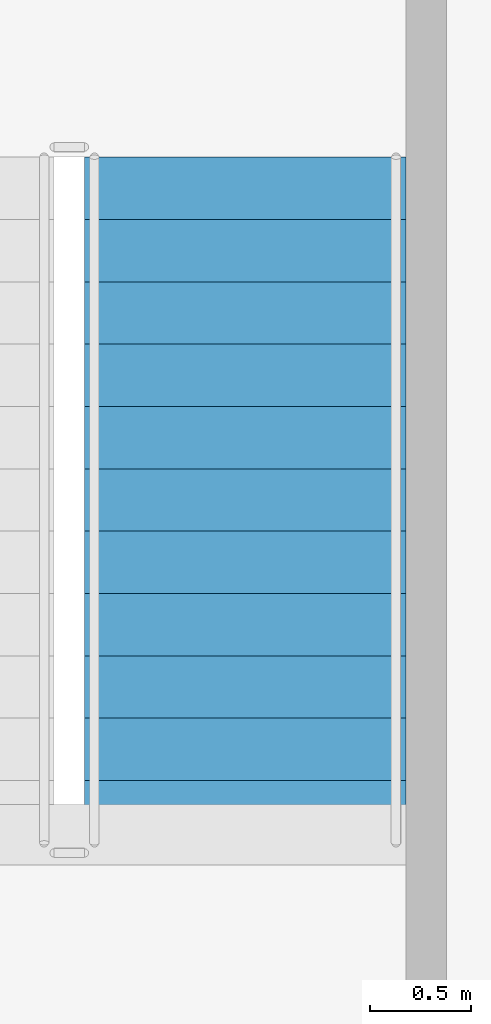
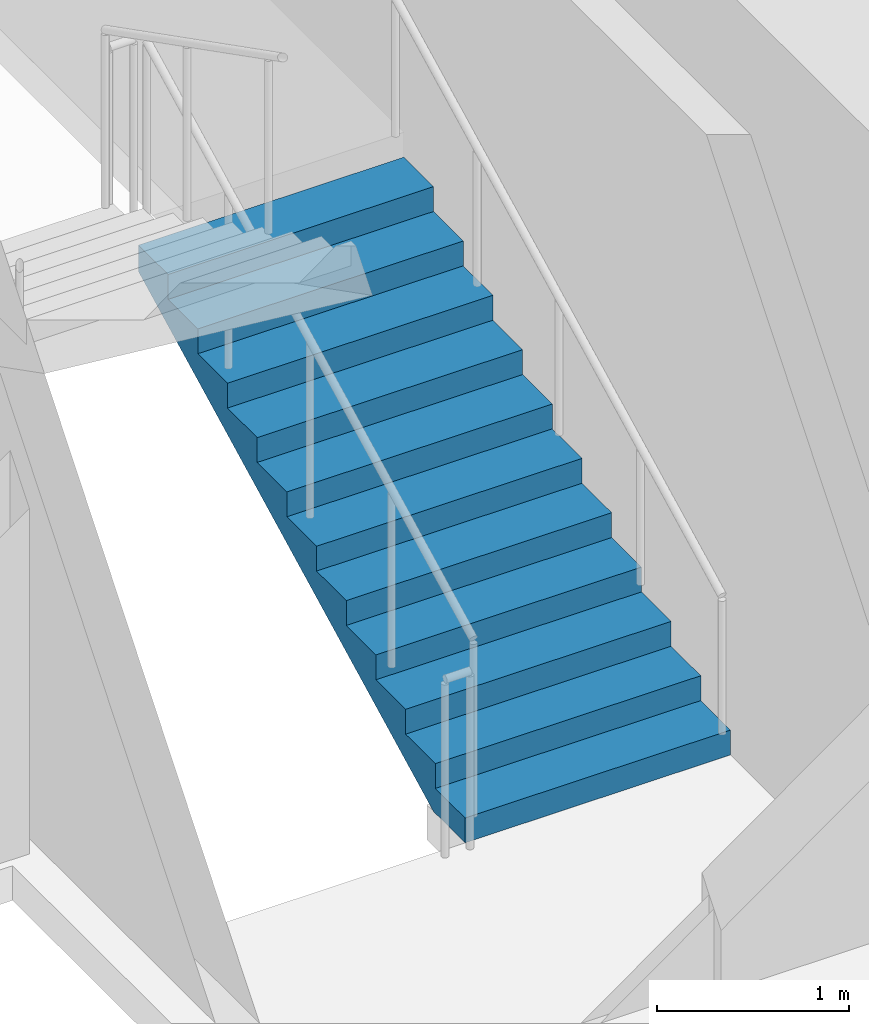
# One storey, part 13 of 17: 1 stair flight, 1 element without a shape of its own.
"""IFC4 building model written with IfcOpenShell, lengths in metres."""

from ifc_helpers import new_model, si_unit, direction, frame, origin, place, context, subcontext, project, spatial, polyline, outline, extrude, material, type_object, element, aggregate, save


model = new_model("IFC4")

# Units and contexts
model_context = context("Model", 3, precision=1e-05, world=origin(), true_north=direction((0.0, 1.0)))
body_context = subcontext(model_context, "Body", "Model", "MODEL_VIEW")
ifc_project = project(units=[si_unit("LENGTHUNIT", "METRE"), si_unit("AREAUNIT", "SQUARE_METRE"), si_unit("VOLUMEUNIT", "CUBIC_METRE"), si_unit("PLANEANGLEUNIT", "RADIAN"), si_unit("MASSUNIT", "GRAM", prefix="KILO")], contexts=[model_context])

# Site, building, storey
site_placement = place(None, origin())
site = spatial("IfcSite", under=ifc_project, at=site_placement, CompositionType="ELEMENT")
building_placement = place(site_placement, origin())
building = spatial("IfcBuilding", under=site, at=building_placement, Name="Vaeldorn Concourse Tower", CompositionType="ELEMENT")
storey_placement = place(building_placement, frame((0.0, 0.0, 214.60009765625)))
storey = spatial("IfcBuildingStorey", under=building, at=storey_placement, Name="L55", CompositionType="ELEMENT", Elevation=214.60009765625)

# Stair, stair flight
ifc_material = material(Name="Precast concrete C40/50", Category="concrete")
stair_type = type_object("IfcStairType", Name="STR-DOG-24x158", PredefinedType="HALF_TURN_STAIR", material=ifc_material)
stair_placement = place(storey_placement, origin())
stair = element("IfcStair", 1, at=stair_placement, inside=storey, type_object=stair_type, Name="L55 East Core Exit Stair ST-2", PredefinedType="HALF_TURN_STAIR")
stair_flight_type = type_object("IfcStairFlightType", Name="STF-STR-12x158", PredefinedType="STRAIGHT", material=ifc_material)
stair_flight_placement = place(storey_placement, frame((52.14990234375, 41.60009765625, 0.0), z_axis=(0.0, 0.0, 1.0), x_axis=(0.0, 1.0, 0.0)))
stair_flight = element("IfcStairFlight", 2, at=stair_flight_placement, type_object=stair_flight_type, Name="ST-2 flight 1", NumberOfRisers=12, NumberOfTreads=11, PredefinedType="STRAIGHT", RiserHeight=0.158333333, TreadLength=0.31, context=body_context, shape_type="SweptSolid", body=[
    extrude(outline(polyline([(0.0, 0.0), (0.0, 0.158447265625), (0.31005859375, 0.158447265625), (0.31005859375, 0.316650390625), (0.6201171875, 0.316650390625), (0.6201171875, 0.47509765625), (0.929931640625, 0.47509765625), (0.929931640625, 0.63330078125), (1.239990234375, 0.63330078125), (1.239990234375, 0.791748046875), (1.550048828125, 0.791748046875), (1.550048828125, 0.949951171875), (1.860107421875, 0.949951171875), (1.860107421875, 1.1083984375), (2.169921875, 1.1083984375), (2.169921875, 1.2666015625), (2.47998046875, 1.2666015625), (2.47998046875, 1.425048828125), (2.7900390625, 1.425048828125), (2.7900390625, 1.583251953125), (3.10009765625, 1.583251953125), (3.10009765625, 1.74169921875), (3.409912109375, 1.74169921875), (3.409912109375, 1.89990234375), (3.409912109375, 1.5732421875), (0.32958984375, 0.0), (0.0, 0.0)])), frame((0.0, 0.800048828125, 0.0), z_axis=(0.0, -1.0, 0.0), x_axis=(1.0, 0.0, 0.0)), (0.0, 0.0, 1.0), 1.60009765625),
])
aggregate(stair, [stair_flight])

save(model, "model.ifc")
